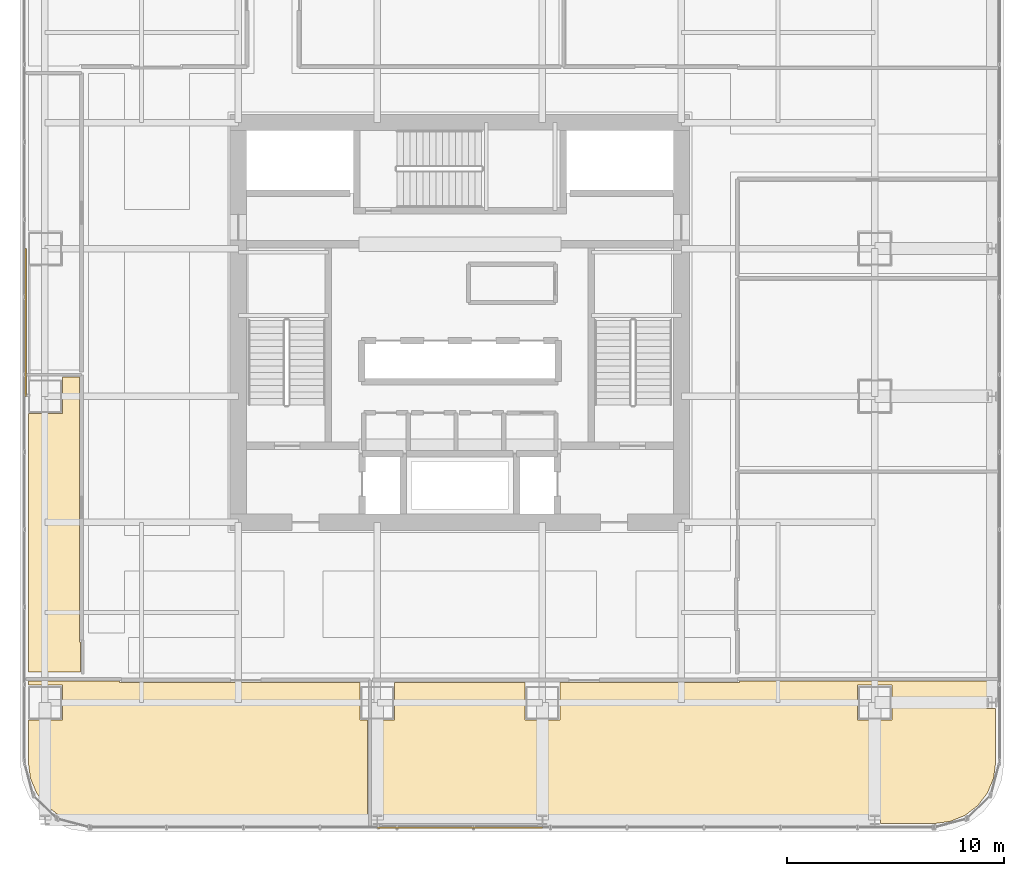
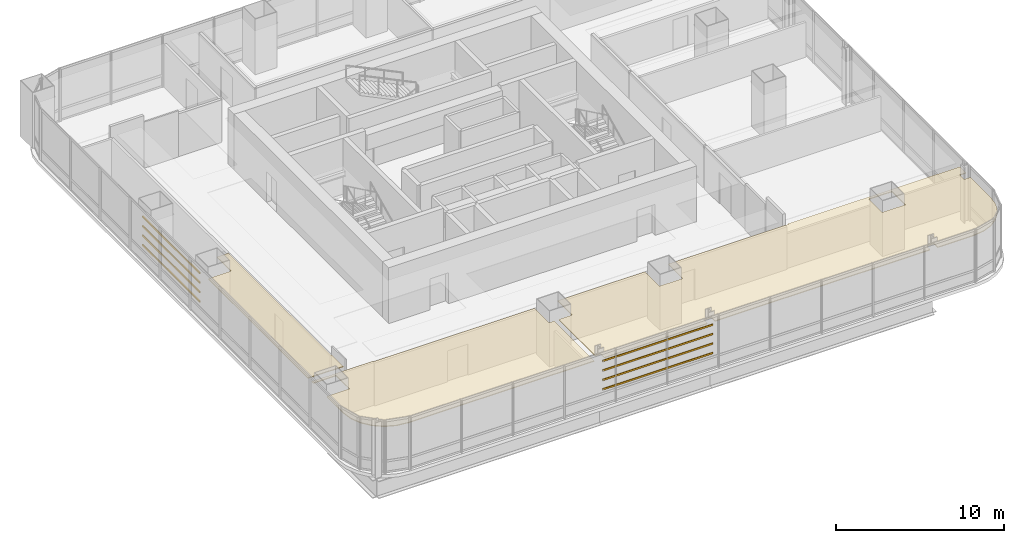
# One storey, part 31 of 35: 8 shading devices, 3 coverings.
"""IFC4 building model written with IfcOpenShell, lengths in metres."""

import ifcopenshell
import ifcopenshell.guid

model = None  # the IFC model being written
_history = None  # IfcOwnerHistory: only IFC2X3 demands one
_inside = {}  # id of a spatial element -> (the spatial element, [elements in it])
_under = {}  # id of a project, library or spatial element -> (it, [spatial elements below it])
_declared = {}  # id of a project -> (the project, [libraries it declares])
_typed = {}  # id of a type object -> (the type object, [elements of that type])
_made_of = {}  # id of a material, layer set ... -> (it, [elements and type objects made of it])


def new_model(schema):
    """Start an empty IFC model of exactly this schema.

    Asked for "IFC4X3", IfcOpenShell would pick the latest addendum, in which some entities
    have other attributes; the version numbers below select the first issue.
    IFC2X3 requires an IfcOwnerHistory on every rooted entity: one is made here for all.
    """
    global model, _history
    if schema == "IFC4X3":
        model = ifcopenshell.file(schema_version=(4, 3, 0, 0))
    else:
        model = ifcopenshell.file(schema=schema)
    _inside.clear()
    _under.clear()
    _declared.clear()
    _typed.clear()
    _made_of.clear()
    _history = None
    if model.schema == "IFC2X3":
        org = make("IfcOrganization", Name="unknown")
        user = make(
            "IfcPersonAndOrganization",
            ThePerson=make("IfcPerson", FamilyName="unknown"),
            TheOrganization=org,
        )
        app = make(
            "IfcApplication",
            ApplicationDeveloper=org,
            Version="unknown",
            ApplicationFullName="unknown",
            ApplicationIdentifier="unknown",
        )
        _history = make(
            "IfcOwnerHistory",
            OwningUser=user,
            OwningApplication=app,
            ChangeAction="ADDED",
            CreationDate=0,
        )
    return model


def make(cls, **values):
    """One entity of the class cls with the attributes given. An attribute that is None is left unset."""
    return model.create_entity(
        cls, **{name: value for name, value in values.items() if value is not None}
    )


def rooted(cls, **values):
    """An entity with a GlobalId (a new one), such as an element, a storey or a relation."""
    return make(cls, GlobalId=ifcopenshell.guid.new(), OwnerHistory=_history, **values)


def si_unit(unit_type, name, prefix=None):
    """IfcSIUnit, for example si_unit("LENGTHUNIT", "METRE", prefix="MILLI")."""
    return make("IfcSIUnit", UnitType=unit_type, Prefix=prefix, Name=name)


def assignment(units):
    """IfcUnitAssignment: the units of a project."""
    return None if units is None else make("IfcUnitAssignment", Units=units)


def point(xyz):
    """IfcCartesianPoint."""
    return None if xyz is None else make("IfcCartesianPoint", Coordinates=xyz)


def direction(xyz):
    """IfcDirection."""
    return None if xyz is None else make("IfcDirection", DirectionRatios=xyz)


def frame(location, z_axis=None, x_axis=None):
    """IfcAxis2Placement3D, a coordinate frame: its origin and axes. An axis left out is left unset."""
    return make(
        "IfcAxis2Placement3D",
        Location=point(location),
        Axis=direction(z_axis),
        RefDirection=direction(x_axis),
    )


def frame_2d(location, x_axis=None):
    """IfcAxis2Placement2D, a coordinate frame in the plane: its origin and x axis."""
    return make(
        "IfcAxis2Placement2D", Location=point(location), RefDirection=direction(x_axis)
    )


def origin():
    """The frame at (0, 0, 0) with its axes left unset."""
    return frame((0.0, 0.0, 0.0))


def origin_2d():
    """The frame at (0, 0) in the plane with its x axis left unset."""
    return frame_2d((0.0, 0.0))


def place(relative_to, where):
    """IfcLocalPlacement: puts the frame where relative to a parent placement (None: the world)."""
    return make(
        "IfcLocalPlacement", PlacementRelTo=relative_to, RelativePlacement=where
    )


def context(
    kind, dimensions, precision=None, world=None, true_north=None, identifier=None
):
    """IfcGeometricRepresentationContext, for example the 3D "Model" context."""
    return make(
        "IfcGeometricRepresentationContext",
        ContextIdentifier=identifier,
        ContextType=kind,
        CoordinateSpaceDimension=dimensions,
        Precision=precision,
        WorldCoordinateSystem=world,
        TrueNorth=true_north,
    )


def subcontext(parent, identifier, kind, view, scale=None):
    """IfcGeometricRepresentationSubContext, for example "Body" below "Model"."""
    return make(
        "IfcGeometricRepresentationSubContext",
        ContextIdentifier=identifier,
        ContextType=kind,
        ParentContext=parent,
        TargetScale=scale,
        TargetView=view,
    )


def project(units=None, contexts=None):
    """IfcProject with its units and contexts."""
    return rooted(
        "IfcProject",
        Name="project",
        RepresentationContexts=contexts,
        UnitsInContext=assignment(units),
    )


def spatial(cls, under=None, at=None, **own):
    """A site, building, storey or space (cls), placed at a placement, below another one or the project."""
    s = rooted(cls, ObjectPlacement=at, **own)
    if under is not None:
        _under.setdefault(under.id(), (under, []))[1].append(s)
    return s


def polyline(points):
    """IfcPolyline through the points."""
    return make("IfcPolyline", Points=[point(p) for p in points])


def profile(cls, at=None, kind="AREA", **sizes):
    """A parametric profile (cls). Its sizes go by their IFC names, for example OverallWidth=200.0."""
    return make(cls, ProfileType=kind, Position=at, **sizes)


def hollow_rectangle(**sizes):
    """IfcRectangleHollowProfileDef."""
    return profile("IfcRectangleHollowProfileDef", **sizes)


def outline(outer, holes=None, kind="AREA"):
    """IfcArbitraryClosedProfileDef: a profile drawn as a closed curve; with holes, ...WithVoids."""
    if holes is None:
        return make("IfcArbitraryClosedProfileDef", ProfileType=kind, OuterCurve=outer)
    return make(
        "IfcArbitraryProfileDefWithVoids",
        ProfileType=kind,
        OuterCurve=outer,
        InnerCurves=holes,
    )


def extrude(swept, where, along, depth):
    """IfcExtrudedAreaSolid: the profile swept, set in the frame where, extruded along a direction by depth."""
    return make(
        "IfcExtrudedAreaSolid",
        SweptArea=swept,
        Position=where,
        ExtrudedDirection=direction(along),
        Depth=depth,
    )


def shape(context_of_items, identifier, shape_type, items):
    """IfcShapeRepresentation: the items that make up one representation, for example the "Body"."""
    return make(
        "IfcShapeRepresentation",
        ContextOfItems=context_of_items,
        RepresentationIdentifier=identifier,
        RepresentationType=shape_type,
        Items=items,
    )


def material(Name=None, Category=None):
    """IfcMaterial."""
    return make("IfcMaterial", Name=Name, Category=Category)


def layer(
    of_material, thickness, ventilated=None, Name=None, Category=None, Priority=None
):
    """IfcMaterialLayer: one layer of a wall or slab, of a material (None: an air gap)."""
    return make(
        "IfcMaterialLayer",
        Material=of_material,
        LayerThickness=thickness,
        IsVentilated=ventilated,
        Name=Name,
        Category=Category,
        Priority=Priority,
    )


def layer_set(layers, Name=None):
    """IfcMaterialLayerSet."""
    return make("IfcMaterialLayerSet", MaterialLayers=layers, LayerSetName=Name)


def material_profile(
    of_material, cross_section, Name=None, Category=None, Priority=None
):
    """IfcMaterialProfile: a cross section and its material."""
    return make(
        "IfcMaterialProfile",
        Name=Name,
        Material=of_material,
        Profile=cross_section,
        Priority=Priority,
        Category=Category,
    )


def profile_set(profiles, Name=None, composite=None):
    """IfcMaterialProfileSet."""
    return make(
        "IfcMaterialProfileSet",
        Name=Name,
        MaterialProfiles=profiles,
        CompositeProfile=composite,
    )


def made_of(thing, what):
    """Note that an element or type object is made of a material, layer set ...; save() writes the relation."""
    if what is not None:
        _made_of.setdefault(what.id(), (what, []))[1].append(thing)
    return thing


def type_object(cls, material=None, **own):
    """A type object (cls), such as IfcWallType, which elements share."""
    return made_of(rooted(cls, **own), material)


def element(
    cls,
    number,
    at=None,
    inside=None,
    cuts=None,
    type_object=None,
    material=None,
    context=None,
    identifier="Body",
    shape_type=None,
    held_by="IfcProductDefinitionShape",
    body=None,
    shapes=None,
    **own,
):
    """One element of the class cls, such as IfcWall. Its Tag is "e" and its number.

    at: its placement. inside: the storey or other place that contains it. cuts: it is an
    opening in that element (IfcRelVoidsElement). A single representation is given by context,
    identifier, shape_type and body (its items); several are given by shapes. held_by: the class
    of the entity that holds the representations. save() writes the other relations.
    """
    e = rooted(cls, Tag="e%d" % number, ObjectPlacement=at, **own)
    if body is not None:
        shapes = [shape(context, identifier, shape_type, body)]
    if shapes is not None:
        e.Representation = make(held_by, Representations=shapes)
    if inside is not None:
        _inside.setdefault(inside.id(), (inside, []))[1].append(e)
    if cuts is not None:
        rooted(
            "IfcRelVoidsElement", RelatingBuildingElement=cuts, RelatedOpeningElement=e
        )
    if type_object is not None:
        _typed.setdefault(type_object.id(), (type_object, []))[1].append(e)
    return made_of(e, material)


def aggregate(whole, parts):
    """IfcRelAggregates: a whole, such as a stair, and the parts it consists of."""
    return rooted("IfcRelAggregates", RelatingObject=whole, RelatedObjects=parts)


def save(model, path):
    """Write the relations noted so far, then the file.

    IfcRelAggregates (storeys below a building ...), IfcRelContainedInSpatialStructure (elements
    in a storey), IfcRelDefinesByType, IfcRelAssociatesMaterial and IfcRelDeclares: one each for
    every whole, place, type object, material and project.
    """
    for whole, parts in _under.values():
        aggregate(whole, parts)
    for where, things in _inside.values():
        rooted(
            "IfcRelContainedInSpatialStructure",
            RelatedElements=things,
            RelatingStructure=where,
        )
    for kind, things in _typed.values():
        rooted("IfcRelDefinesByType", RelatedObjects=things, RelatingType=kind)
    for what, things in _made_of.values():
        rooted("IfcRelAssociatesMaterial", RelatedObjects=things, RelatingMaterial=what)
    for by, libraries in _declared.values():
        rooted("IfcRelDeclares", RelatingContext=by, RelatedDefinitions=libraries)
    model.write(path)


model = new_model("IFC4")

# Units and contexts
model_context = context("Model", 3, precision=1e-05, world=origin(), true_north=direction((0.0, 1.0)))
body_context = subcontext(model_context, "Body", "Model", "MODEL_VIEW")
ifc_project = project(units=[si_unit("LENGTHUNIT", "METRE"), si_unit("AREAUNIT", "SQUARE_METRE"), si_unit("VOLUMEUNIT", "CUBIC_METRE"), si_unit("PLANEANGLEUNIT", "RADIAN"), si_unit("MASSUNIT", "GRAM", prefix="KILO")], contexts=[model_context])

# Site, building, storey
site_placement = place(None, origin())
site = spatial("IfcSite", under=ifc_project, at=site_placement, CompositionType="ELEMENT")
building_placement = place(site_placement, origin())
building = spatial("IfcBuilding", under=site, at=building_placement, Name="Punatoya Terracotta Tower", CompositionType="ELEMENT")
storey_placement = place(building_placement, frame((0.0, 0.0, 68.699951171875)))
storey = spatial("IfcBuildingStorey", under=building, at=storey_placement, Name="L15", CompositionType="ELEMENT", Elevation=68.699951171875)

# Coverings
ifc_material_1 = material(Name="Acoustic Mineral Fibre Ceiling")
ifc_layer = layer(ifc_material_1, 0.06005859375)
ifc_layer_set = layer_set([ifc_layer], Name="Acoustic Mineral Fibre Ceiling")
covering_type = type_object("IfcCoveringType", Name="COV-CEIL-60", PredefinedType="CEILING", material=ifc_layer_set)
covering_1_placement = place(storey_placement, frame((0.0, 0.0, 3.199951171875)))
element("IfcCovering", 1, at=covering_1_placement, inside=storey, type_object=covering_type, Name="L15 Open-Plan Plenary Seminar Room Acoustic Ceiling", PredefinedType="CEILING", context=body_context, shape_type="SweptSolid", body=[
    extrude(outline(polyline([(-19.041748046875, -22.24169921875), (-18.458251953125, -22.689453125), (-17.779052734375, -22.970703125), (-17.025146484375, -23.070068359375), (-4.241943359375, -23.070068359375), (-4.241943359375, -18.300048828125), (-4.60009765625, -18.300048828125), (-4.60009765625, -16.570068359375), (-15.669921875, -16.570068359375), (-15.669921875, -16.510009765625), (-19.8701171875, -16.510009765625), (-19.8701171875, -16.699951171875), (-18.300048828125, -16.699951171875), (-18.300048828125, -18.300048828125), (-19.8701171875, -18.300048828125), (-19.8701171875, -20.22509765625), (-19.770751953125, -20.97900390625), (-19.489501953125, -21.658203125), (-19.041748046875, -22.24169921875)])), origin(), (0.0, 0.0, 1.0), 0.06005859375),
])
covering_2_placement = place(storey_placement, frame((0.0, 0.0, 3.199951171875)))
element("IfcCovering", 2, at=covering_2_placement, inside=storey, type_object=covering_type, Name="L15 Client Strategy Boardroom Acoustic Ceiling", PredefinedType="CEILING", context=body_context, shape_type="SweptSolid", body=[
    extrude(outline(polyline([(-3.0, -16.570068359375), (-3.0, -18.300048828125), (-3.922119140625, -18.300048828125), (-3.922119140625, -22.626953125), (-3.5419921875, -22.626953125), (-3.5419921875, -23.070068359375), (3.5419921875, -23.070068359375), (3.5419921875, -22.626953125), (4.05810546875, -22.626953125), (4.05810546875, -23.070068359375), (18.842041015625, -23.070068359375), (18.842041015625, -22.626953125), (19.35791015625, -22.626953125), (19.35791015625, -23.070068359375), (21.8251953125, -23.070068359375), (22.5791015625, -22.970703125), (23.25830078125, -22.689453125), (23.841796875, -22.24169921875), (24.289306640625, -21.658203125), (24.57080078125, -20.97900390625), (24.669921875, -20.22509765625), (24.669921875, -17.77294921875), (24.241943359375, -17.77294921875), (24.241943359375, -17.22705078125), (24.669921875, -17.22705078125), (24.669921875, -16.510009765625), (12.8701171875, -16.510009765625), (12.8701171875, -16.570068359375), (4.60009765625, -16.570068359375), (4.60009765625, -18.300048828125), (3.0, -18.300048828125), (3.0, -16.570068359375), (-3.0, -16.570068359375)]), holes=[polyline([(19.89990234375, -18.300048828125), (18.300048828125, -18.300048828125), (18.300048828125, -16.699951171875), (19.89990234375, -16.699951171875), (19.89990234375, -18.300048828125)])]), origin(), (0.0, 0.0, 1.0), 0.06005859375),
])
covering_3_placement = place(storey_placement, frame((0.0, 0.0, 3.199951171875)))
element("IfcCovering", 3, at=covering_3_placement, inside=storey, type_object=covering_type, Name="L15 Open-Plan Executive Briefing Room Acoustic Ceiling", PredefinedType="CEILING", context=body_context, shape_type="SweptSolid", body=[
    extrude(outline(polyline([(-18.300048828125, -2.510009765625), (-18.300048828125, -4.199951171875), (-19.8701171875, -4.199951171875), (-19.8701171875, -16.090087890625), (-17.4599609375, -16.090087890625), (-17.4599609375, -14.719970703125), (-17.52001953125, -14.719970703125), (-17.52001953125, -2.510009765625), (-18.300048828125, -2.510009765625)])), origin(), (0.0, 0.0, 1.0), 0.06005859375),
])

# Shading devices
ifc_material_2 = material(Name="Architectural Fired Terracotta", Category="masonry")
ifc_material_profile = material_profile(ifc_material_2, hollow_rectangle(XDim=0.06494140625, YDim=0.1201171875, WallThickness=0.014892578125, at=origin_2d()))
ifc_profile_set = profile_set([ifc_material_profile], Name="Architectural Fired Terracotta")
shading_device_type = type_object("IfcShadingDeviceType", Name="SHD-BAG-120", PredefinedType="USERDEFINED", material=ifc_profile_set)
for number, where, z_axis, x_axis, name in (
    (4, (-3.800048828125, -23.262939453125, 1.150146484375), (1.0, 0.0, 0.0), (0.0, 1.0, 0.0), "L15 Fired Terracotta Baguette Louvre BAG-L15-S-01"),
    (5, (-3.800048828125, -23.262939453125, 1.836669921875), (1.0, 0.0, 0.0), (0.0, 1.0, 0.0), "L15 Fired Terracotta Baguette Louvre BAG-L15-S-02"),
    (6, (-3.800048828125, -23.262939453125, 2.5234375), (1.0, 0.0, 0.0), (0.0, 1.0, 0.0), "L15 Fired Terracotta Baguette Louvre BAG-L15-S-03"),
    (7, (-3.800048828125, -23.262939453125, 3.2099609375), (1.0, 0.0, 0.0), (0.0, 1.0, 0.0), "L15 Fired Terracotta Baguette Louvre BAG-L15-S-04"),
):
    element("IfcShadingDevice", number, at=place(storey_placement, frame(where, z_axis=z_axis, x_axis=x_axis)), inside=storey, type_object=shading_device_type, Name=name, ObjectType="BAGUETTE", PredefinedType="USERDEFINED", context=body_context, shape_type="SweptSolid", body=[
        extrude(hollow_rectangle(XDim=0.06494140625, YDim=0.1201171875, WallThickness=0.014892578125, at=origin_2d()), origin(), (0.0, 0.0, 1.0), 7.60009765625),
    ])
for number, where, z_axis, x_axis, name in (
    (8, (-19.989990234375, -3.39990234375, 1.150146484375), (0.0, 1.0, 0.0), (-1.0, 0.0, 0.0), "L15 Fired Terracotta Baguette Louvre BAG-L15-W-01"),
    (9, (-19.989990234375, -3.39990234375, 1.836669921875), (0.0, 1.0, 0.0), (-1.0, 0.0, 0.0), "L15 Fired Terracotta Baguette Louvre BAG-L15-W-02"),
    (10, (-19.989990234375, -3.39990234375, 2.5234375), (0.0, 1.0, 0.0), (-1.0, 0.0, 0.0), "L15 Fired Terracotta Baguette Louvre BAG-L15-W-03"),
    (11, (-19.989990234375, -3.39990234375, 3.2099609375), (0.0, 1.0, 0.0), (-1.0, 0.0, 0.0), "L15 Fired Terracotta Baguette Louvre BAG-L15-W-04"),
):
    element("IfcShadingDevice", number, at=place(storey_placement, frame(where, z_axis=z_axis, x_axis=x_axis)), inside=storey, type_object=shading_device_type, Name=name, ObjectType="BAGUETTE", PredefinedType="USERDEFINED", context=body_context, shape_type="SweptSolid", body=[
        extrude(hollow_rectangle(XDim=0.06494140625, YDim=0.1201171875, WallThickness=0.014892578125, at=origin_2d()), origin(), (0.0, 0.0, 1.0), 6.7998046875),
    ])

save(model, "model.ifc")
